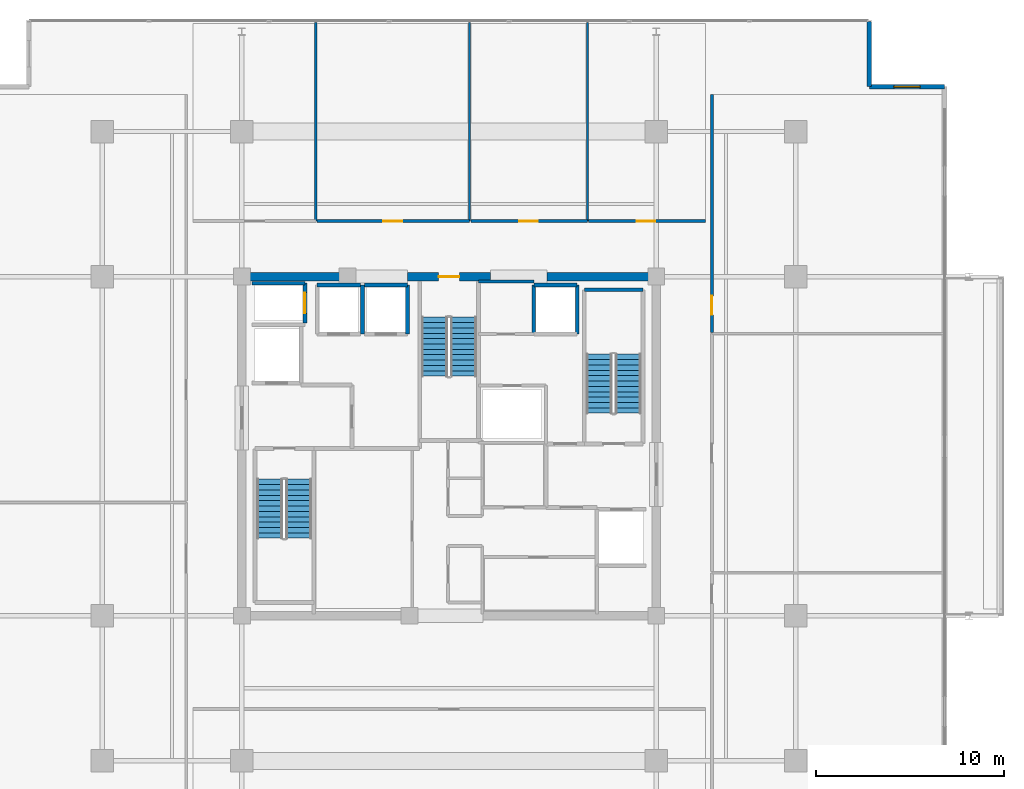
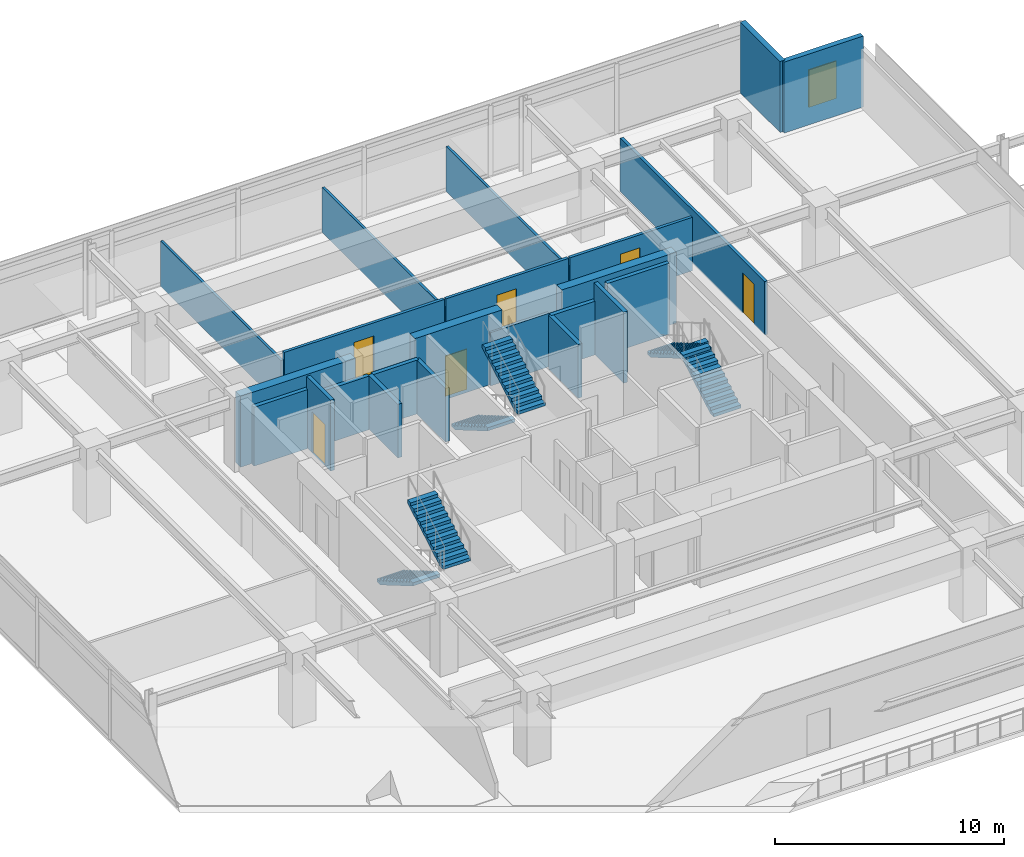
# One storey, part 16 of 21: 23 walls, 6 doors, 6 stair flights, 1 window, 7 openings, 3 elements without a shape of their own.
"""IFC4 building model written with IfcOpenShell, lengths in metres."""

from ifc_helpers import new_model, si_unit, direction, frame, frame_2d, origin, place, context, subcontext, project, spatial, polyline, rectangle, outline, extrude, material, layer, layer_set, type_object, element, fill, aggregate, save


model = new_model("IFC4")

# Units and contexts
model_context = context("Model", 3, precision=1e-05, world=origin(), true_north=direction((0.0, 1.0)))
body_context = subcontext(model_context, "Body", "Model", "MODEL_VIEW")
ifc_project = project(units=[si_unit("LENGTHUNIT", "METRE"), si_unit("AREAUNIT", "SQUARE_METRE"), si_unit("VOLUMEUNIT", "CUBIC_METRE"), si_unit("PLANEANGLEUNIT", "RADIAN"), si_unit("MASSUNIT", "GRAM", prefix="KILO")], contexts=[model_context])

# Site, building, storey
site_placement = place(None, origin())
site = spatial("IfcSite", under=ifc_project, at=site_placement, CompositionType="ELEMENT")
building_placement = place(site_placement, origin())
building = spatial("IfcBuilding", under=site, at=building_placement, Name="Kovane Verandah Tower", CompositionType="ELEMENT")
storey_placement = place(building_placement, frame((0.0, 0.0, 263.199951171875)))
storey = spatial("IfcBuildingStorey", under=building, at=storey_placement, Name="L61", CompositionType="ELEMENT", Elevation=263.199951171875)

# Wall
ifc_material_1 = material(Name="Fire-Rated Gypsum Stud Partition", Category="gypsum")
ifc_layer_1 = layer(ifc_material_1, 0.14990234375)
ifc_layer_set_1 = layer_set([ifc_layer_1], Name="Fire-Rated Gypsum Stud Partition")
wall_type_1 = type_object("IfcWallType", Name="WL-COR-150", PredefinedType="PARTITIONING", material=ifc_layer_set_1)
wall_1_placement = place(storey_placement, frame((41.56005859375, 36.25, 0.0), z_axis=(0.0, 0.0, 1.0), x_axis=(1.0, 0.0, 0.0)))
element("IfcWall", 1, at=wall_1_placement, inside=storey, type_object=wall_type_1, Name="L61 Sky Telecom Riser North Wall", PredefinedType="PARTITIONING", context=body_context, shape_type="SweptSolid", body=[
    extrude(rectangle(XDim=2.93994140625, YDim=0.14990234375, at=frame_2d((1.469970703125, 0.0))), origin(), (0.0, 0.0, 1.0), 2.85009765625),
])

# Wall, opening, door
wall_2_placement = place(storey_placement, frame((32.998046875, 39.449951171875, 0.0), z_axis=(0.0, 0.0, 1.0), x_axis=(1.0, 0.0, 0.0)))
wall_2 = element("IfcWall", 2, at=wall_2_placement, inside=storey, type_object=wall_type_1, Name="L61 Collaboration Hub N2 Corridor Partition", PredefinedType="PARTITIONING", context=body_context, shape_type="SweptSolid", body=[
    extrude(rectangle(XDim=8.08984375, YDim=0.14990234375, at=frame_2d((4.044921875, 0.0))), origin(), (0.0, 0.0, 1.0), 2.85009765625),
])
opening_1_placement = place(wall_2_placement, frame((3.510009765625, 0.0, 0.0)))
opening_1 = element("IfcOpeningElement", 3, at=opening_1_placement, cuts=wall_2, Name="Opening DR-L61-020", PredefinedType="OPENING", context=body_context, shape_type="SweptSolid", body=[
    extrude(rectangle(XDim=1.0, YDim=2.14990234375, at=frame_2d((0.5, 1.074951171875))), frame((0.0, 0.074951171875, 0.0), z_axis=(0.0, -1.0, 0.0), x_axis=(1.0, 0.0, 0.0)), (0.0, 0.0, 1.0), 0.14990234375),
])
ifc_material_2 = material(Name="FSC Spotted-Gum Timber Fire-Rated Office Door", Category="wood")
door_type_1 = type_object("IfcDoorType", Name="DR-OFF-1000", OperationType="SINGLE_SWING_LEFT", PredefinedType="DOOR", material=ifc_material_2)
door_1_placement = place(opening_1_placement, origin())
door_1 = element("IfcDoor", 4, at=door_1_placement, inside=storey, type_object=door_type_1, Name="L61 Collaboration Hub N2 Entrance Door", OperationType="SINGLE_SWING_LEFT", OverallHeight=2.14990234375, OverallWidth=1.0, PredefinedType="DOOR", context=body_context, shape_type="SweptSolid", body=[
    extrude(rectangle(XDim=1.0, YDim=2.14990234375, at=frame_2d((0.5, 1.074951171875))), frame((0.0, 0.02490234375, 0.0), z_axis=(0.0, -1.0, 0.0), x_axis=(1.0, 0.0, 0.0)), (0.0, 0.0, 1.0), 0.050048828125),
])
fill(opening_1, door_1)

wall_3_placement = place(storey_placement, frame((41.157958984375, 39.449951171875, 0.0), z_axis=(0.0, 0.0, 1.0), x_axis=(1.0, 0.0, 0.0)))
wall_3 = element("IfcWall", 5, at=wall_3_placement, inside=storey, type_object=wall_type_1, Name="L61 Document and Print Room N3 Corridor Partition", PredefinedType="PARTITIONING", context=body_context, shape_type="SweptSolid", body=[
    extrude(rectangle(XDim=6.18603515625, YDim=0.14990234375, at=frame_2d((3.093017578125, 0.0))), origin(), (0.0, 0.0, 1.0), 2.85009765625),
])
opening_2_placement = place(wall_3_placement, frame((2.55810546875, 0.0, 0.0)))
opening_2 = element("IfcOpeningElement", 6, at=opening_2_placement, cuts=wall_3, Name="Opening DR-L61-021", PredefinedType="OPENING", context=body_context, shape_type="SweptSolid", body=[
    extrude(rectangle(XDim=1.0, YDim=2.14990234375, at=frame_2d((0.5, 1.074951171875))), frame((0.0, 0.074951171875, 0.0), z_axis=(0.0, -1.0, 0.0), x_axis=(1.0, 0.0, 0.0)), (0.0, 0.0, 1.0), 0.14990234375),
])
door_2_placement = place(opening_2_placement, origin())
door_2 = element("IfcDoor", 7, at=door_2_placement, inside=storey, type_object=door_type_1, Name="L61 Document and Print Room N3 Entrance Door", OperationType="SINGLE_SWING_RIGHT", OverallHeight=2.14990234375, OverallWidth=1.0, PredefinedType="DOOR", context=body_context, shape_type="SweptSolid", body=[
    extrude(rectangle(XDim=1.0, YDim=2.14990234375, at=frame_2d((0.5, 1.074951171875))), frame((0.0, 0.02490234375, 0.0), z_axis=(0.0, -1.0, 0.0), x_axis=(1.0, 0.0, 0.0)), (0.0, 0.0, 1.0), 0.050048828125),
])
fill(opening_2, door_2)

wall_4_placement = place(storey_placement, frame((47.4140625, 39.449951171875, 0.0), z_axis=(0.0, 0.0, 1.0), x_axis=(1.0, 0.0, 0.0)))
wall_4 = element("IfcWall", 8, at=wall_4_placement, inside=storey, type_object=wall_type_1, Name="L61 Open Plan Office N4 Corridor Partition", PredefinedType="PARTITIONING", context=body_context, shape_type="SweptSolid", body=[
    extrude(rectangle(XDim=6.18603515625, YDim=0.14990234375, at=frame_2d((3.093017578125, 0.0))), origin(), (0.0, 0.0, 1.0), 2.85009765625),
])
opening_3_placement = place(wall_4_placement, frame((2.54296875, 0.0, 0.0)))
opening_3 = element("IfcOpeningElement", 9, at=opening_3_placement, cuts=wall_4, Name="Opening DR-L61-022", PredefinedType="OPENING", context=body_context, shape_type="SweptSolid", body=[
    extrude(rectangle(XDim=1.0, YDim=2.14990234375, at=frame_2d((0.5, 1.074951171875))), frame((0.0, 0.074951171875, 0.0), z_axis=(0.0, -1.0, 0.0), x_axis=(1.0, 0.0, 0.0)), (0.0, 0.0, 1.0), 0.14990234375),
])
door_3_placement = place(opening_3_placement, origin())
door_3 = element("IfcDoor", 10, at=door_3_placement, inside=storey, type_object=door_type_1, Name="L61 Open Plan Office N4 Entrance Door", OperationType="SINGLE_SWING_LEFT", OverallHeight=2.14990234375, OverallWidth=1.0, PredefinedType="DOOR", context=body_context, shape_type="SweptSolid", body=[
    extrude(rectangle(XDim=1.0, YDim=2.14990234375, at=frame_2d((0.5, 1.074951171875))), frame((0.0, 0.02490234375, 0.0), z_axis=(0.0, -1.0, 0.0), x_axis=(1.0, 0.0, 0.0)), (0.0, 0.0, 1.0), 0.050048828125),
])
fill(opening_3, door_3)

wall_5_placement = place(storey_placement, frame((53.949951171875, 33.547607421875, 0.0), z_axis=(0.0, 0.0, 1.0), x_axis=(0.0, 1.0, 0.0)))
wall_5 = element("IfcWall", 11, at=wall_5_placement, inside=storey, type_object=wall_type_1, Name="L61 Collaboration Hub E3 Corridor Partition", PredefinedType="PARTITIONING", context=body_context, shape_type="SweptSolid", body=[
    extrude(rectangle(XDim=12.63232421875, YDim=0.14990234375, at=frame_2d((6.316162109375, 0.0))), origin(), (0.0, 0.0, 1.0), 2.85009765625),
])
opening_4_placement = place(wall_5_placement, frame((0.92626953125, 0.0, 0.0)))
opening_4 = element("IfcOpeningElement", 12, at=opening_4_placement, cuts=wall_5, Name="Opening DR-L61-013", PredefinedType="OPENING", context=body_context, shape_type="SweptSolid", body=[
    extrude(rectangle(XDim=1.0, YDim=2.14990234375, at=frame_2d((0.5, 1.074951171875))), frame((0.0, 0.074951171875, 0.0), z_axis=(0.0, -1.0, 0.0), x_axis=(1.0, 0.0, 0.0)), (0.0, 0.0, 1.0), 0.14990234375),
])
door_4_placement = place(opening_4_placement, origin())
door_4 = element("IfcDoor", 13, at=door_4_placement, inside=storey, type_object=door_type_1, Name="L61 Collaboration Hub E3 Entrance Door", OperationType="SINGLE_SWING_LEFT", OverallHeight=2.14990234375, OverallWidth=1.0, PredefinedType="DOOR", context=body_context, shape_type="SweptSolid", body=[
    extrude(rectangle(XDim=1.0, YDim=2.14990234375, at=frame_2d((0.5, 1.074951171875))), frame((0.0, 0.02490234375, 0.0), z_axis=(0.0, -1.0, 0.0), x_axis=(1.0, 0.0, 0.0)), (0.0, 0.0, 1.0), 0.050048828125),
])
fill(opening_4, door_4)

# Wall
ifc_material_3 = material(Name="Concrete C60/75", Category="concrete")
ifc_layer_2 = layer(ifc_material_3, 0.449951171875)
ifc_layer_set_2 = layer_set([ifc_layer_2], Name="Concrete C60/75")
wall_type_2 = type_object("IfcWallType", Name="WL-CORE-450", PredefinedType="SHEAR", material=ifc_layer_set_2)
wall_6_placement = place(storey_placement, frame((29.0, 36.5, 0.0), z_axis=(0.0, 0.0, 1.0), x_axis=(1.0, 0.0, 0.0)))
element("IfcWall", 14, at=wall_6_placement, inside=storey, type_object=wall_type_2, Name="L61 Core Shear Wall CN-1", PredefinedType="SHEAR", context=body_context, shape_type="SweptSolid", body=[
    extrude(rectangle(XDim=5.800048828125, YDim=0.449951171875, at=frame_2d((2.89990234375, 0.0))), origin(), (0.0, 0.0, 1.0), 3.78515625),
])

# Wall, opening, door
wall_7_placement = place(storey_placement, frame((37.800048828125, 36.5, 0.0), z_axis=(0.0, 0.0, 1.0), x_axis=(1.0, 0.0, 0.0)))
wall_7 = element("IfcWall", 15, at=wall_7_placement, inside=storey, type_object=wall_type_2, Name="L61 Core Shear Wall CN-2", PredefinedType="SHEAR", context=body_context, shape_type="SweptSolid", body=[
    extrude(rectangle(XDim=4.39990234375, YDim=0.449951171875, at=frame_2d((2.199951171875, 0.0))), origin(), (0.0, 0.0, 1.0), 3.78515625),
])
opening_5_placement = place(wall_7_placement, frame((1.64990234375, 0.0, 0.0)))
opening_5 = element("IfcOpeningElement", 16, at=opening_5_placement, cuts=wall_7, Name="Opening DR-L61-010", PredefinedType="OPENING", context=body_context, shape_type="SweptSolid", body=[
    extrude(rectangle(XDim=1.10009765625, YDim=2.14990234375, at=frame_2d((0.550048828125, 1.074951171875))), frame((0.0, 0.22509765625, 0.0), z_axis=(0.0, -1.0, 0.0), x_axis=(1.0, 0.0, 0.0)), (0.0, 0.0, 1.0), 0.449951171875),
])
ifc_material_4 = material(Name="Fire-Rated Steel Exit Door", Category="steel")
door_type_2 = type_object("IfcDoorType", Name="DR-STAIR-1100", OperationType="SINGLE_SWING_LEFT", PredefinedType="DOOR", material=ifc_material_4)
door_5_placement = place(opening_5_placement, origin())
door_5 = element("IfcDoor", 17, at=door_5_placement, inside=storey, type_object=door_type_2, Name="L61 ST-03 Fire Exit Stair Door", OperationType="SINGLE_SWING_LEFT", OverallHeight=2.14990234375, OverallWidth=1.10009765625, PredefinedType="DOOR", context=body_context, shape_type="SweptSolid", body=[
    extrude(rectangle(XDim=1.10009765625, YDim=2.14990234375, at=frame_2d((0.550048828125, 1.074951171875))), frame((0.0, 0.02490234375, 0.0), z_axis=(0.0, -1.0, 0.0), x_axis=(1.0, 0.0, 0.0)), (0.0, 0.0, 1.0), 0.050048828125),
])
fill(opening_5, door_5)

# Walls
wall_8_placement = place(storey_placement, frame((45.199951171875, 36.5, 0.0), z_axis=(0.0, 0.0, 1.0), x_axis=(1.0, 0.0, 0.0)))
element("IfcWall", 18, at=wall_8_placement, inside=storey, type_object=wall_type_2, Name="L61 Core Shear Wall CN-3", PredefinedType="SHEAR", context=body_context, shape_type="SweptSolid", body=[
    extrude(rectangle(XDim=5.800048828125, YDim=0.449951171875, at=frame_2d((2.89990234375, 0.0))), origin(), (0.0, 0.0, 1.0), 3.78515625),
])
ifc_material_5 = material(Name="Concrete C45/55 Lift Shaft Wall", Category="concrete")
ifc_layer_3 = layer(ifc_material_5, 0.199951171875)
ifc_layer_set_3 = layer_set([ifc_layer_3], Name="Concrete C45/55 Lift Shaft Wall")
wall_type_3 = type_object("IfcWallType", Name="WL-LIFT-200", PredefinedType="SOLIDWALL", material=ifc_layer_set_3)
wall_9_placement = place(storey_placement, frame((32.35009765625, 36.14990234375, 0.0), z_axis=(0.0, 0.0, 1.0), x_axis=(-1.0, 0.0, 0.0)))
element("IfcWall", 19, at=wall_9_placement, inside=storey, type_object=wall_type_3, Name="L61 Lift GL-01 N Shaft Wall", PredefinedType="SOLIDWALL", context=body_context, shape_type="SweptSolid", body=[
    extrude(rectangle(XDim=2.800048828125, YDim=0.199951171875, at=frame_2d((1.39990234375, 0.0))), origin(), (0.0, 0.0, 1.0), 3.14794921875),
])

# Wall, opening, door
wall_10_placement = place(storey_placement, frame((32.35009765625, 34.050048828125, 0.0), z_axis=(0.0, 0.0, 1.0), x_axis=(0.0, 1.0, 0.0)))
wall_10 = element("IfcWall", 20, at=wall_10_placement, inside=storey, type_object=wall_type_3, Name="L61 Lift GL-01 E Shaft Wall", PredefinedType="SOLIDWALL", context=body_context, shape_type="SweptSolid", body=[
    extrude(rectangle(XDim=2.099853515625, YDim=0.199951171875, at=frame_2d((1.0498046875, 0.0))), origin(), (0.0, 0.0, 1.0), 3.78515625),
])
opening_6_placement = place(wall_10_placement, frame((0.5, 0.0, 0.0)))
opening_6 = element("IfcOpeningElement", 21, at=opening_6_placement, cuts=wall_10, Name="Opening LD-L61-003", PredefinedType="OPENING", context=body_context, shape_type="SweptSolid", body=[
    extrude(rectangle(XDim=1.10009765625, YDim=2.199951171875, at=frame_2d((0.550048828125, 1.10009765625))), frame((0.0, 0.10009765625, 0.0), z_axis=(0.0, -1.0, 0.0), x_axis=(1.0, 0.0, 0.0)), (0.0, 0.0, 1.0), 0.199951171875),
])
ifc_material_6 = material(Name="Brushed Stainless Steel Sliding Lift Landing Door", Category="steel")
door_type_3 = type_object("IfcDoorType", Name="DR-LIFT-1100", OperationType="SLIDING_TO_RIGHT", PredefinedType="DOOR", material=ifc_material_6)
door_6_placement = place(opening_6_placement, origin())
door_6 = element("IfcDoor", 22, at=door_6_placement, inside=storey, type_object=door_type_3, Name="L61 Lift GL-01 Sliding Landing Door", OperationType="SLIDING_TO_RIGHT", OverallHeight=2.199951171875, OverallWidth=1.10009765625, PredefinedType="DOOR", context=body_context, shape_type="SweptSolid", body=[
    extrude(rectangle(XDim=1.10009765625, YDim=2.199951171875, at=frame_2d((0.550048828125, 1.10009765625))), frame((0.0, 0.02490234375, 0.0), z_axis=(0.0, -1.0, 0.0), x_axis=(1.0, 0.0, 0.0)), (0.0, 0.0, 1.0), 0.050048828125),
])
fill(opening_6, door_6)

# Walls
wall_11_placement = place(storey_placement, frame((35.300048828125, 36.050048828125, 0.0), z_axis=(0.0, 0.0, 1.0), x_axis=(-1.0, 0.0, 0.0)))
element("IfcWall", 23, at=wall_11_placement, inside=storey, type_object=wall_type_3, Name="L61 Lift PL-H1 N Shaft Wall", PredefinedType="SOLIDWALL", context=body_context, shape_type="SweptSolid", body=[
    extrude(rectangle(XDim=2.300048828125, YDim=0.199951171875, at=frame_2d((1.14990234375, 0.0))), origin(), (0.0, 0.0, 1.0), 2.864990234375),
])
wall_12_placement = place(storey_placement, frame((35.39990234375, 33.449951171875, 0.0), z_axis=(0.0, 0.0, 1.0), x_axis=(0.0, 1.0, 0.0)))
element("IfcWall", 24, at=wall_12_placement, inside=storey, type_object=wall_type_3, Name="L61 Lift PL-H1 and PL-H2 Shared Shaft Wall", PredefinedType="SOLIDWALL", context=body_context, shape_type="SweptSolid", body=[
    extrude(rectangle(XDim=2.60009765625, YDim=0.199951171875, at=frame_2d((1.300048828125, 0.0))), origin(), (0.0, 0.0, 1.0), 2.864990234375),
])
wall_13_placement = place(storey_placement, frame((37.800048828125, 36.050048828125, 0.0), z_axis=(0.0, 0.0, 1.0), x_axis=(-1.0, 0.0, 0.0)))
element("IfcWall", 25, at=wall_13_placement, inside=storey, type_object=wall_type_3, Name="L61 Lift PL-H2 N Shaft Wall", PredefinedType="SOLIDWALL", context=body_context, shape_type="SweptSolid", body=[
    extrude(rectangle(XDim=2.300048828125, YDim=0.199951171875, at=frame_2d((1.14990234375, 0.0))), origin(), (0.0, 0.0, 1.0), 2.864990234375),
])
wall_14_placement = place(storey_placement, frame((37.800048828125, 33.449951171875, 0.0), z_axis=(0.0, 0.0, 1.0), x_axis=(0.0, 1.0, 0.0)))
element("IfcWall", 26, at=wall_14_placement, inside=storey, type_object=wall_type_3, Name="L61 Lift PL-H2 E Shaft Wall", PredefinedType="SOLIDWALL", context=body_context, shape_type="SweptSolid", body=[
    extrude(rectangle(XDim=2.60009765625, YDim=0.199951171875, at=frame_2d((1.300048828125, 0.0))), origin(), (0.0, 0.0, 1.0), 2.864990234375),
])
wall_15_placement = place(storey_placement, frame((46.800048828125, 36.050048828125, 0.0), z_axis=(0.0, 0.0, 1.0), x_axis=(-1.0, 0.0, 0.0)))
element("IfcWall", 27, at=wall_15_placement, inside=storey, type_object=wall_type_3, Name="L61 Lift OL-01 N Shaft Wall", PredefinedType="SOLIDWALL", context=body_context, shape_type="SweptSolid", body=[
    extrude(rectangle(XDim=2.300048828125, YDim=0.199951171875, at=frame_2d((1.14990234375, 0.0))), origin(), (0.0, 0.0, 1.0), 2.864990234375),
])
wall_16_placement = place(storey_placement, frame((44.5, 36.050048828125, 0.0), z_axis=(0.0, 0.0, 1.0), x_axis=(0.0, -1.0, 0.0)))
element("IfcWall", 28, at=wall_16_placement, inside=storey, type_object=wall_type_3, Name="L61 Lift OL-01 W Shaft Wall", PredefinedType="SOLIDWALL", context=body_context, shape_type="SweptSolid", body=[
    extrude(rectangle(XDim=2.60009765625, YDim=0.199951171875, at=frame_2d((1.300048828125, 0.0))), origin(), (0.0, 0.0, 1.0), 2.864990234375),
])
wall_17_placement = place(storey_placement, frame((46.800048828125, 33.449951171875, 0.0), z_axis=(0.0, 0.0, 1.0), x_axis=(0.0, 1.0, 0.0)))
element("IfcWall", 29, at=wall_17_placement, inside=storey, type_object=wall_type_3, Name="L61 Lift OL-01 E Shaft Wall", PredefinedType="SOLIDWALL", context=body_context, shape_type="SweptSolid", body=[
    extrude(rectangle(XDim=2.60009765625, YDim=0.199951171875, at=frame_2d((1.300048828125, 0.0))), origin(), (0.0, 0.0, 1.0), 3.78515625),
])
ifc_material_7 = material(Name="Acoustic Fire-Rated Gypsum Partition", Category="gypsum")
ifc_layer_4 = layer(ifc_material_7, 0.1201171875)
ifc_layer_set_4 = layer_set([ifc_layer_4], Name="Acoustic Fire-Rated Gypsum Partition")
wall_type_4 = type_object("IfcWallType", Name="WL-PART-120", PredefinedType="PARTITIONING", material=ifc_layer_set_4)
for number, where, z_axis, x_axis, name in (
    (30, (32.927978515625, 39.449951171875, 0.0), (0.0, 0.0, 1.0), (0.0, 1.0, 0.0), "L61 Breakout Pantry N1 Dividing Partition"),
    (31, (41.087890625, 39.449951171875, 0.0), (0.0, 0.0, 1.0), (0.0, 1.0, 0.0), "L61 Collaboration Hub N2 Dividing Partition"),
    (32, (47.343994140625, 39.449951171875, 0.0), (0.0, 0.0, 1.0), (0.0, 1.0, 0.0), "L61 Document and Print Room N3 Dividing Partition"),
):
    element("IfcWall", number, at=place(storey_placement, frame(where, z_axis=z_axis, x_axis=x_axis)), inside=storey, type_object=wall_type_4, Name=name, PredefinedType="PARTITIONING", context=body_context, shape_type="SweptSolid", body=[
        extrude(rectangle(XDim=10.530029296875, YDim=0.1201171875, at=frame_2d((5.26513671875, 0.0))), origin(), (0.0, 0.0, 1.0), 2.4150390625),
    ])
ifc_material_8 = material(Name="Concrete C45/55", Category="concrete")
ifc_layer_5 = layer(ifc_material_8, 0.199951171875)
ifc_layer_set_5 = layer_set([ifc_layer_5], Name="Concrete C45/55")
wall_type_5 = type_object("IfcWallType", Name="WL-SHAFT-200", PredefinedType="SOLIDWALL", material=ifc_layer_set_5)
wall_18_placement = place(storey_placement, frame((47.179931640625, 35.800048828125, 0.0), z_axis=(0.0, 0.0, 1.0), x_axis=(1.0, 0.0, 0.0)))
element("IfcWall", 33, at=wall_18_placement, inside=storey, type_object=wall_type_5, Name="W-L61-ST02-N", PredefinedType="SOLIDWALL", context=body_context, shape_type="SweptSolid", body=[
    extrude(rectangle(XDim=3.1201171875, YDim=0.199951171875, at=frame_2d((1.56005859375, 0.0))), origin(), (0.0, 0.0, 1.0), 3.78515625),
])

# Wall, opening, window
ifc_material_9 = material(Name="Concrete C45/55 Insulated Spandrel Wall", Category="concrete")
ifc_layer_6 = layer(ifc_material_9, 0.260009765625)
ifc_layer_set_6 = layer_set([ifc_layer_6], Name="Concrete C45/55 Insulated Spandrel Wall")
wall_type_6 = type_object("IfcWallType", Name="WL-SPANDREL-260", PredefinedType="PARAPET", material=ifc_layer_set_6)
wall_19_placement = place(storey_placement, frame((66.3076171875, 46.580078125, 0.0), z_axis=(0.0, 0.0, 1.0), x_axis=(-1.0, 0.0, 0.0)))
wall_19 = element("IfcWall", 34, at=wall_19_placement, inside=storey, type_object=wall_type_6, Name="L61 NE Notch Cheek Wall 1", PredefinedType="PARAPET", context=body_context, shape_type="SweptSolid", body=[
    extrude(rectangle(XDim=4.0, YDim=0.260009765625, at=frame_2d((2.0, 0.0))), origin(), (0.0, 0.0, 1.0), 3.78515625),
])
opening_7_placement = place(wall_19_placement, frame((1.300048828125, 0.0, 0.85009765625)))
opening_7 = element("IfcOpeningElement", 35, at=opening_7_placement, cuts=wall_19, Name="Opening W-01", PredefinedType="OPENING", context=body_context, shape_type="SweptSolid", body=[
    extrude(rectangle(XDim=1.39990234375, YDim=2.0, at=frame_2d((0.699951171875, 1.0))), frame((0.0, 0.1298828125, 0.0), z_axis=(0.0, -1.0, 0.0), x_axis=(1.0, 0.0, 0.0)), (0.0, 0.0, 1.0), 0.260009765625),
])
ifc_material_10 = material(Name="Clear Low-E Laminated Double Glazing in Anodised Frame", Category="glass")
window_type = type_object("IfcWindowType", Name="WN-OPER-1400x2000", PartitioningType="SINGLE_PANEL", PredefinedType="WINDOW", material=ifc_material_10)
window_placement = place(opening_7_placement, origin())
window = element("IfcWindow", 36, at=window_placement, inside=storey, type_object=window_type, Name="L61 NE Re-Entrant Corner Operable Window", OverallHeight=2.0, OverallWidth=1.39990234375, PartitioningType="SINGLE_PANEL", PredefinedType="WINDOW", context=body_context, shape_type="SweptSolid", body=[
    extrude(rectangle(XDim=1.39990234375, YDim=2.0, at=frame_2d((0.699951171875, 1.0))), frame((0.0, 0.030029296875, 0.0), z_axis=(0.0, -1.0, 0.0), x_axis=(1.0, 0.0, 0.0)), (0.0, 0.0, 1.0), 0.06005859375),
])
fill(opening_7, window)

# Wall
wall_20_placement = place(storey_placement, frame((62.3076171875, 46.580078125, 0.0), z_axis=(0.0, 0.0, 1.0), x_axis=(0.0, 1.0, 0.0)))
element("IfcWall", 37, at=wall_20_placement, inside=storey, type_object=wall_type_6, Name="L61 NE Notch Cheek Wall 2", PredefinedType="PARAPET", context=body_context, shape_type="SweptSolid", body=[
    extrude(rectangle(XDim=3.5, YDim=0.260009765625, at=frame_2d((1.75, 0.0))), origin(), (0.0, 0.0, 1.0), 3.78515625),
])

# Stair, stair flights
stair_type = type_object("IfcStairType", Name="ST-CORE-1380", PredefinedType="HALF_TURN_STAIR", material=ifc_material_8)
stair_1_placement = place(storey_placement, origin())
stair_1 = element("IfcStair", 38, at=stair_1_placement, inside=storey, type_object=stair_type, Name="L61 Exit Stair ST-01", PredefinedType="HALF_TURN_STAIR")
stair_flight_type = type_object("IfcStairFlightType", Name="STF-CORE-1380", PredefinedType="STRAIGHT", material=ifc_material_8)
stair_flight_1_placement = place(storey_placement, frame((30.489990234375, 25.75, 0.0), z_axis=(0.0, 0.0, 1.0), x_axis=(0.0, -1.0, 0.0)))
stair_flight_1 = element("IfcStairFlight", 39, at=stair_flight_1_placement, type_object=stair_flight_type, Name="ST-01 flight 1", NumberOfRisers=12, NumberOfTreads=11, PredefinedType="STRAIGHT", RiserHeight=0.166666667, TreadLength=0.285, context=body_context, shape_type="SweptSolid", body=[
    extrude(outline(polyline([(0.0, 0.0), (0.0, 0.166748046875), (0.284912109375, 0.166748046875), (0.284912109375, 0.333251953125), (0.570068359375, 0.333251953125), (0.570068359375, 0.5), (0.85498046875, 0.5), (0.85498046875, 0.666748046875), (1.139892578125, 0.666748046875), (1.139892578125, 0.833251953125), (1.425048828125, 0.833251953125), (1.425048828125, 1.0), (1.7099609375, 1.0), (1.7099609375, 1.166748046875), (1.9951171875, 1.166748046875), (1.9951171875, 1.333251953125), (2.280029296875, 1.333251953125), (2.280029296875, 1.5), (2.56494140625, 1.5), (2.56494140625, 1.666748046875), (2.85009765625, 1.666748046875), (2.85009765625, 1.833251953125), (3.135009765625, 1.833251953125), (3.135009765625, 2.0), (3.135009765625, 1.65966796875), (0.296875, 0.0), (0.0, 0.0)])), frame((0.0, 0.68994140625, 0.0), z_axis=(0.0, -1.0, 0.0), x_axis=(1.0, 0.0, 0.0)), (0.0, 0.0, 1.0), 1.3798828125),
])
stair_flight_2_placement = place(storey_placement, frame((32.030029296875, 22.614990234375, 2.0), z_axis=(0.0, 0.0, 1.0), x_axis=(0.0, 1.0, 0.0)))
stair_flight_2 = element("IfcStairFlight", 40, at=stair_flight_2_placement, type_object=stair_flight_type, Name="ST-01 flight 2", NumberOfRisers=12, NumberOfTreads=11, PredefinedType="STRAIGHT", RiserHeight=0.166666667, TreadLength=0.285, context=body_context, shape_type="SweptSolid", body=[
    extrude(outline(polyline([(0.0, 0.0), (0.0, 0.166748046875), (0.284912109375, 0.166748046875), (0.284912109375, 0.333251953125), (0.570068359375, 0.333251953125), (0.570068359375, 0.5), (0.85498046875, 0.5), (0.85498046875, 0.666748046875), (1.139892578125, 0.666748046875), (1.139892578125, 0.833251953125), (1.425048828125, 0.833251953125), (1.425048828125, 1.0), (1.7099609375, 1.0), (1.7099609375, 1.166748046875), (1.9951171875, 1.166748046875), (1.9951171875, 1.333251953125), (2.280029296875, 1.333251953125), (2.280029296875, 1.5), (2.56494140625, 1.5), (2.56494140625, 1.666748046875), (2.85009765625, 1.666748046875), (2.85009765625, 1.833251953125), (3.135009765625, 1.833251953125), (3.135009765625, 2.0), (3.135009765625, 1.65966796875), (0.296875, 0.0), (0.0, 0.0)])), frame((0.0, 0.68994140625, 0.0), z_axis=(0.0, -1.0, 0.0), x_axis=(1.0, 0.0, 0.0)), (0.0, 0.0, 1.0), 1.3798828125),
])
aggregate(stair_1, [stair_flight_1, stair_flight_2])

stair_2_placement = place(storey_placement, origin())
stair_2 = element("IfcStair", 41, at=stair_2_placement, inside=storey, type_object=stair_type, Name="L61 Exit Stair ST-02", PredefinedType="HALF_TURN_STAIR")
stair_flight_3_placement = place(storey_placement, frame((49.510009765625, 29.25, 0.0), z_axis=(0.0, 0.0, 1.0), x_axis=(0.0, 1.0, 0.0)))
stair_flight_3 = element("IfcStairFlight", 42, at=stair_flight_3_placement, type_object=stair_flight_type, Name="ST-02 flight 1", NumberOfRisers=12, NumberOfTreads=11, PredefinedType="STRAIGHT", RiserHeight=0.166666667, TreadLength=0.285, context=body_context, shape_type="SweptSolid", body=[
    extrude(outline(polyline([(0.0, 0.0), (0.0, 0.166748046875), (0.284912109375, 0.166748046875), (0.284912109375, 0.333251953125), (0.570068359375, 0.333251953125), (0.570068359375, 0.5), (0.85498046875, 0.5), (0.85498046875, 0.666748046875), (1.139892578125, 0.666748046875), (1.139892578125, 0.833251953125), (1.425048828125, 0.833251953125), (1.425048828125, 1.0), (1.7099609375, 1.0), (1.7099609375, 1.166748046875), (1.9951171875, 1.166748046875), (1.9951171875, 1.333251953125), (2.280029296875, 1.333251953125), (2.280029296875, 1.5), (2.56494140625, 1.5), (2.56494140625, 1.666748046875), (2.85009765625, 1.666748046875), (2.85009765625, 1.833251953125), (3.135009765625, 1.833251953125), (3.135009765625, 2.0), (3.135009765625, 1.65966796875), (0.296875, 0.0), (0.0, 0.0)])), frame((0.0, 0.68994140625, 0.0), z_axis=(0.0, -1.0, 0.0), x_axis=(1.0, 0.0, 0.0)), (0.0, 0.0, 1.0), 1.3798828125),
])
stair_flight_4_placement = place(storey_placement, frame((47.969970703125, 32.385009765625, 2.0), z_axis=(0.0, 0.0, 1.0), x_axis=(0.0, -1.0, 0.0)))
stair_flight_4 = element("IfcStairFlight", 43, at=stair_flight_4_placement, type_object=stair_flight_type, Name="ST-02 flight 2", NumberOfRisers=12, NumberOfTreads=11, PredefinedType="STRAIGHT", RiserHeight=0.166666667, TreadLength=0.285, context=body_context, shape_type="SweptSolid", body=[
    extrude(outline(polyline([(0.0, 0.0), (0.0, 0.166748046875), (0.284912109375, 0.166748046875), (0.284912109375, 0.333251953125), (0.570068359375, 0.333251953125), (0.570068359375, 0.5), (0.85498046875, 0.5), (0.85498046875, 0.666748046875), (1.139892578125, 0.666748046875), (1.139892578125, 0.833251953125), (1.425048828125, 0.833251953125), (1.425048828125, 1.0), (1.7099609375, 1.0), (1.7099609375, 1.166748046875), (1.9951171875, 1.166748046875), (1.9951171875, 1.333251953125), (2.280029296875, 1.333251953125), (2.280029296875, 1.5), (2.56494140625, 1.5), (2.56494140625, 1.666748046875), (2.85009765625, 1.666748046875), (2.85009765625, 1.833251953125), (3.135009765625, 1.833251953125), (3.135009765625, 2.0), (3.135009765625, 1.65966796875), (0.296875, 0.0), (0.0, 0.0)])), frame((0.0, 0.68994140625, 0.0), z_axis=(0.0, -1.0, 0.0), x_axis=(1.0, 0.0, 0.0)), (0.0, 0.0, 1.0), 1.3798828125),
])
aggregate(stair_2, [stair_flight_3, stair_flight_4])

stair_3_placement = place(storey_placement, origin())
stair_3 = element("IfcStair", 44, at=stair_3_placement, inside=storey, type_object=stair_type, Name="L61 Exit Stair ST-03", PredefinedType="HALF_TURN_STAIR")
stair_flight_5_placement = place(storey_placement, frame((39.22998046875, 34.35009765625, 0.0), z_axis=(0.0, 0.0, 1.0), x_axis=(0.0, -1.0, 0.0)))
stair_flight_5 = element("IfcStairFlight", 45, at=stair_flight_5_placement, type_object=stair_flight_type, Name="ST-03 flight 1", NumberOfRisers=12, NumberOfTreads=11, PredefinedType="STRAIGHT", RiserHeight=0.166666667, TreadLength=0.285, context=body_context, shape_type="SweptSolid", body=[
    extrude(outline(polyline([(0.0, 0.0), (0.0, 0.166748046875), (0.284912109375, 0.166748046875), (0.284912109375, 0.333251953125), (0.570068359375, 0.333251953125), (0.570068359375, 0.5), (0.85498046875, 0.5), (0.85498046875, 0.666748046875), (1.139892578125, 0.666748046875), (1.139892578125, 0.833251953125), (1.425048828125, 0.833251953125), (1.425048828125, 1.0), (1.7099609375, 1.0), (1.7099609375, 1.166748046875), (1.9951171875, 1.166748046875), (1.9951171875, 1.333251953125), (2.280029296875, 1.333251953125), (2.280029296875, 1.5), (2.56494140625, 1.5), (2.56494140625, 1.666748046875), (2.85009765625, 1.666748046875), (2.85009765625, 1.833251953125), (3.135009765625, 1.833251953125), (3.135009765625, 2.0), (3.135009765625, 1.65966796875), (0.296875, 0.0), (0.0, 0.0)])), frame((0.0, 0.68994140625, 0.0), z_axis=(0.0, -1.0, 0.0), x_axis=(1.0, 0.0, 0.0)), (0.0, 0.0, 1.0), 1.3798828125),
])
stair_flight_6_placement = place(storey_placement, frame((40.77001953125, 31.215087890625, 2.0), z_axis=(0.0, 0.0, 1.0), x_axis=(0.0, 1.0, 0.0)))
stair_flight_6 = element("IfcStairFlight", 46, at=stair_flight_6_placement, type_object=stair_flight_type, Name="ST-03 flight 2", NumberOfRisers=12, NumberOfTreads=11, PredefinedType="STRAIGHT", RiserHeight=0.166666667, TreadLength=0.285, context=body_context, shape_type="SweptSolid", body=[
    extrude(outline(polyline([(0.0, 0.0), (0.0, 0.166748046875), (0.284912109375, 0.166748046875), (0.284912109375, 0.333251953125), (0.570068359375, 0.333251953125), (0.570068359375, 0.5), (0.85498046875, 0.5), (0.85498046875, 0.666748046875), (1.139892578125, 0.666748046875), (1.139892578125, 0.833251953125), (1.425048828125, 0.833251953125), (1.425048828125, 1.0), (1.7099609375, 1.0), (1.7099609375, 1.166748046875), (1.9951171875, 1.166748046875), (1.9951171875, 1.333251953125), (2.280029296875, 1.333251953125), (2.280029296875, 1.5), (2.56494140625, 1.5), (2.56494140625, 1.666748046875), (2.85009765625, 1.666748046875), (2.85009765625, 1.833251953125), (3.135009765625, 1.833251953125), (3.135009765625, 2.0), (3.135009765625, 1.65966796875), (0.296875, 0.0), (0.0, 0.0)])), frame((0.0, 0.68994140625, 0.0), z_axis=(0.0, -1.0, 0.0), x_axis=(1.0, 0.0, 0.0)), (0.0, 0.0, 1.0), 1.3798828125),
])
aggregate(stair_3, [stair_flight_5, stair_flight_6])

save(model, "model.ifc")
